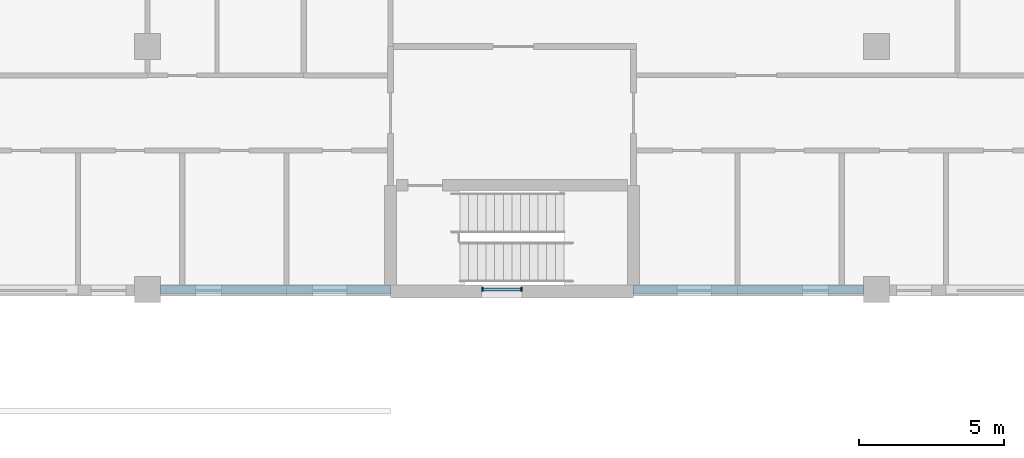
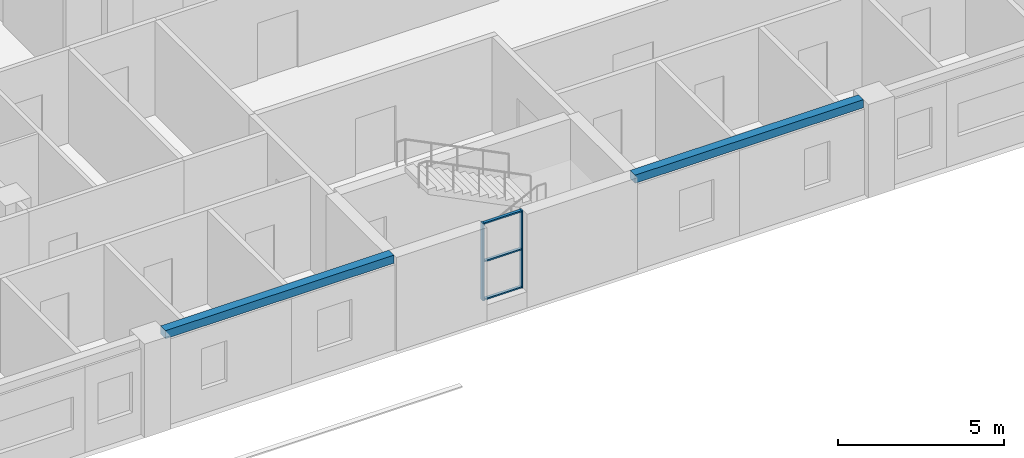
# One storey, part 24 of 94: 5 members, 2 beams, 1 element without a shape of its own.
"""IFC4 building model written with IfcOpenShell, lengths in metres."""

from ifc_helpers import new_model, si_unit, direction, frame, origin, origin_2d, place, context, subcontext, project, spatial, rectangle, extrude, material, material_profile, profile_set, type_object, element, aggregate, save


model = new_model("IFC4")

# Units and contexts
model_context = context("Model", 3, precision=1e-05, world=origin(), true_north=direction((0.0, 1.0)))
body_context = subcontext(model_context, "Body", "Model", "MODEL_VIEW")
ifc_project = project(units=[si_unit("LENGTHUNIT", "METRE"), si_unit("AREAUNIT", "SQUARE_METRE"), si_unit("VOLUMEUNIT", "CUBIC_METRE"), si_unit("PLANEANGLEUNIT", "RADIAN"), si_unit("MASSUNIT", "GRAM", prefix="KILO")], contexts=[model_context])

# Site, building, storey
site_placement = place(None, origin())
site = spatial("IfcSite", under=ifc_project, at=site_placement, CompositionType="ELEMENT")
building_placement = place(site_placement, origin())
building = spatial("IfcBuilding", under=site, at=building_placement, Name="Yavir Park General Hospital", CompositionType="ELEMENT")
storey_placement = place(building_placement, frame((0.0, 0.0, 4.5)))
storey = spatial("IfcBuildingStorey", under=building, at=storey_placement, Name="L01", CompositionType="ELEMENT", Elevation=4.5)

# Beams
ifc_material_1 = material(Name="Concrete C35/45", Category="concrete")
ifc_material_profile_1 = material_profile(ifc_material_1, rectangle(XDim=0.300048828125, YDim=0.300048828125, at=origin_2d()), Name="RC300x300")
ifc_profile_set_1 = profile_set([ifc_material_profile_1], Name="Concrete C35/45")
beam_type = type_object("IfcBeamType", Name="RC BEAM 300x300 edge beam", PredefinedType="BEAM", material=ifc_profile_set_1)
for number, where, z_axis, x_axis, name in (
    (1, (92.85009765625, 0.0, 3.300048828125), (1.0, 0.0, 0.0), (0.0, 1.0, 0.0), "B:EDGE:L01:010"),
    (2, (109.199951171875, 0.0, 3.300048828125), (1.0, 0.0, 0.0), (0.0, 1.0, 0.0), "B:EDGE:L01:011"),
):
    element("IfcBeam", number, at=place(storey_placement, frame(where, z_axis=z_axis, x_axis=x_axis)), inside=storey, type_object=beam_type, Name=name, PredefinedType="BEAM", context=body_context, shape_type="SweptSolid", body=[
        extrude(rectangle(XDim=0.300048828125, YDim=0.300048828125, at=origin_2d()), origin(), (0.0, 0.0, 1.0), 7.949951171875),
    ])

# Curtain wall, members
ifc_material_2 = material(Name="Aluminium curtain wall frame with insulated glazing", Category="aluminium")
curtain_wall_type = type_object("IfcCurtainWallType", Name="Stair light slot, podium, 2850 high, 1400 module", PredefinedType="NOTDEFINED", material=ifc_material_2)
curtain_wall_placement = place(storey_placement, origin())
curtain_wall = element("IfcCurtainWall", 3, at=curtain_wall_placement, inside=storey, type_object=curtain_wall_type, Name="CW9 L01-003", PredefinedType="NOTDEFINED")
ifc_material_3 = material(Name="Aluminium", Category="aluminium")
ifc_material_profile_2 = material_profile(ifc_material_3, rectangle(XDim=0.139892578125, YDim=0.050048828125, at=origin_2d()), Name="AL 50x140")
ifc_profile_set_2 = profile_set([ifc_material_profile_2], Name="Aluminium")
member_type_1 = type_object("IfcMemberType", Name="Stair light slot, podium, 2850 high mullion 50 x 140", PredefinedType="MULLION", material=ifc_profile_set_2)
member_1_placement = place(storey_placement, frame((103.97509765625, 0.0, 0.60009765625), z_axis=(0.0, 0.0, 1.0), x_axis=(0.0, 1.0, 0.0)))
member_1 = element("IfcMember", 4, at=member_1_placement, type_object=member_type_1, Name="CW9 mullion 1", PredefinedType="MULLION", context=body_context, shape_type="SweptSolid", body=[
    extrude(rectangle(XDim=0.139892578125, YDim=0.050048828125, at=origin_2d()), origin(), (0.0, 0.0, 1.0), 2.849853515625),
])
member_2_placement = place(storey_placement, frame((105.324951171875, 0.0, 0.60009765625), z_axis=(0.0, 0.0, 1.0), x_axis=(0.0, 1.0, 0.0)))
member_2 = element("IfcMember", 5, at=member_2_placement, type_object=member_type_1, Name="CW9 mullion 2", PredefinedType="MULLION", context=body_context, shape_type="SweptSolid", body=[
    extrude(rectangle(XDim=0.139892578125, YDim=0.050048828125, at=origin_2d()), origin(), (0.0, 0.0, 1.0), 2.849853515625),
])
ifc_material_4 = material(Name="Aluminium", Category="aluminium")
ifc_material_profile_3 = material_profile(ifc_material_4, rectangle(XDim=0.10009765625, YDim=0.050048828125, at=origin_2d()), Name="AL 100x50")
ifc_profile_set_3 = profile_set([ifc_material_profile_3], Name="Aluminium")
member_type_2 = type_object("IfcMemberType", Name="Stair light slot, podium, 2850 high transom 50 x 100", PredefinedType="MULLION", material=ifc_profile_set_3)
member_3_placement = place(storey_placement, frame((104.0, 0.0, 0.625), z_axis=(1.0, 0.0, 0.0), x_axis=(0.0, 1.0, 0.0)))
member_3 = element("IfcMember", 6, at=member_3_placement, type_object=member_type_2, Name="CW9 transom 1.1", PredefinedType="MULLION", context=body_context, shape_type="SweptSolid", body=[
    extrude(rectangle(XDim=0.10009765625, YDim=0.050048828125, at=origin_2d()), origin(), (0.0, 0.0, 1.0), 1.300048828125),
])
member_4_placement = place(storey_placement, frame((104.0, 0.0, 2.02490234375), z_axis=(1.0, 0.0, 0.0), x_axis=(0.0, 1.0, 0.0)))
member_4 = element("IfcMember", 7, at=member_4_placement, type_object=member_type_2, Name="CW9 transom 1.2", PredefinedType="MULLION", context=body_context, shape_type="SweptSolid", body=[
    extrude(rectangle(XDim=0.10009765625, YDim=0.050048828125, at=origin_2d()), origin(), (0.0, 0.0, 1.0), 1.300048828125),
])
member_5_placement = place(storey_placement, frame((104.0, 0.0, 3.425048828125), z_axis=(1.0, 0.0, 0.0), x_axis=(0.0, 1.0, 0.0)))
member_5 = element("IfcMember", 8, at=member_5_placement, type_object=member_type_2, Name="CW9 transom 1.3", PredefinedType="MULLION", context=body_context, shape_type="SweptSolid", body=[
    extrude(rectangle(XDim=0.10009765625, YDim=0.050048828125, at=origin_2d()), origin(), (0.0, 0.0, 1.0), 1.300048828125),
])
aggregate(curtain_wall, [member_1, member_2, member_3, member_4, member_5])

save(model, "model.ifc")
